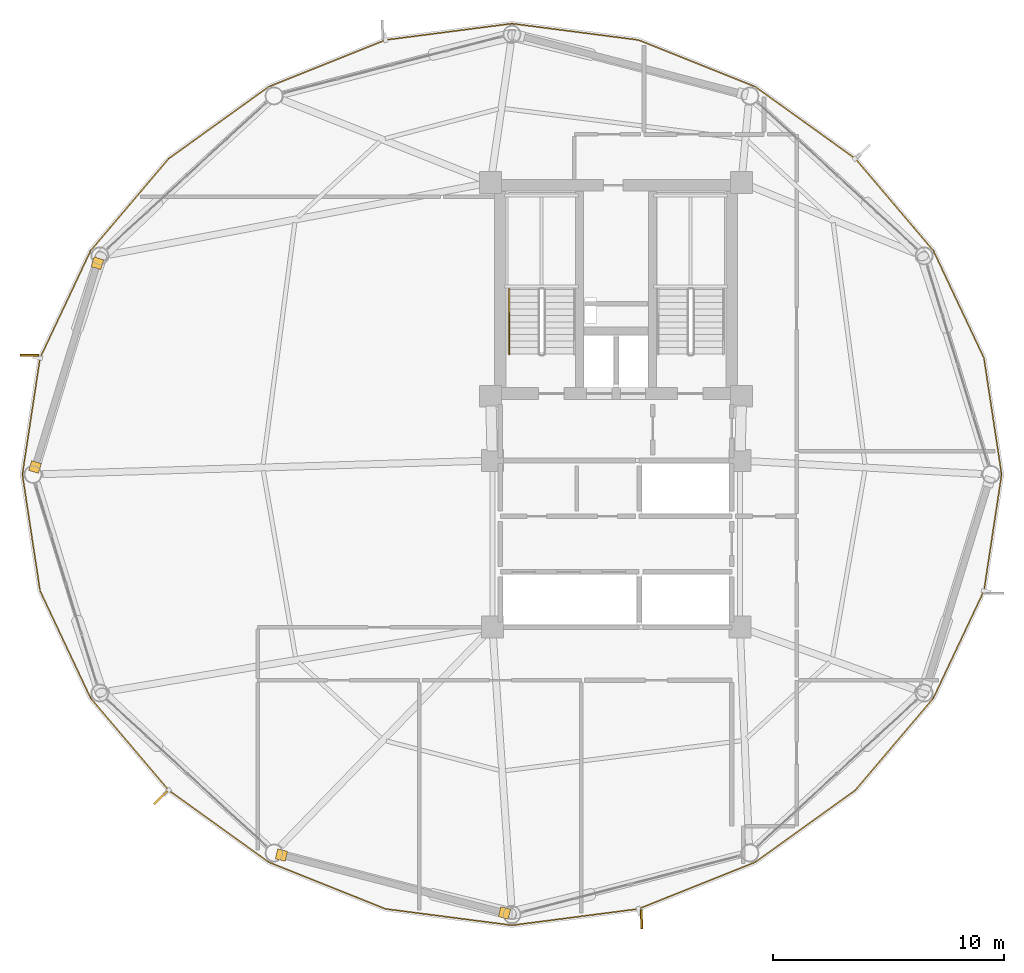
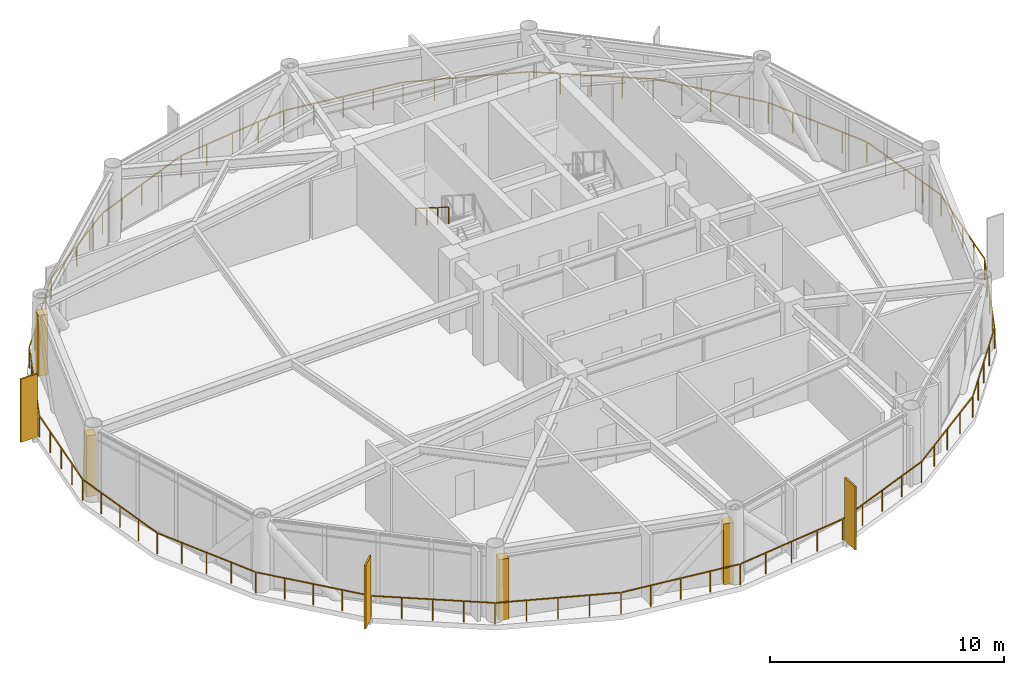
# One storey, part 24 of 26: 4 coverings, 3 shading devices, 2 railings.
"""IFC4 building model written with IfcOpenShell, lengths in metres."""

from ifc_helpers import new_model, si_unit, direction, frame, origin, origin_2d, place, context, subcontext, project, spatial, rectangle, extrude, source, transform, mapped, material, layer, layer_set, type_object, type_shapes, element, save


model = new_model("IFC4")

# Units and contexts
model_context = context("Model", 3, precision=1e-05, world=origin(), true_north=direction((0.0, 1.0)))
body_context = subcontext(model_context, "Body", "Model", "MODEL_VIEW")
ifc_project = project(units=[si_unit("LENGTHUNIT", "METRE"), si_unit("AREAUNIT", "SQUARE_METRE"), si_unit("VOLUMEUNIT", "CUBIC_METRE"), si_unit("PLANEANGLEUNIT", "RADIAN"), si_unit("MASSUNIT", "GRAM", prefix="KILO")], contexts=[model_context])

# Site, building, storey
site_placement = place(None, origin())
site = spatial("IfcSite", under=ifc_project, at=site_placement, CompositionType="ELEMENT")
building_placement = place(site_placement, origin())
building = spatial("IfcBuilding", under=site, at=building_placement, Name="Varnakorn Sky Granary", CompositionType="ELEMENT")
storey_placement = place(building_placement, frame((0.0, 0.0, 153.89990234375)))
storey = spatial("IfcBuildingStorey", under=building, at=storey_placement, Name="L38", CompositionType="ELEMENT", Elevation=153.89990234375)

# Railings
ifc_material_1 = material(Name="Anodised Bronze Aluminium Alloy 6063-T6", Category="aluminium")
railing_type_1 = type_object("IfcRailingType", Name="RL-BAL-1120", PredefinedType="BALUSTRADE", material=ifc_material_1)
railing_1_placement = place(storey_placement, frame((19.666015625, 0.0, 0.0)))
element("IfcRailing", 1, at=railing_1_placement, inside=storey, type_object=railing_type_1, Name="Perimeter Slab-Edge Safety Guard L38", PredefinedType="BALUSTRADE", context=body_context, shape_type="SweptSolid", body=[
    extrude(rectangle(XDim=0.048095703125, YDim=0.048095703125, at=origin_2d()), frame((-0.004150390625, -0.027587890625, 1.09619140625), z_axis=(-0.150170746572, -0.988660076505, 0.0), x_axis=(0.988660076505, -0.150170746572, 0.0)), (0.0, 0.0, 1.0), 5.031005859375),
    extrude(rectangle(XDim=0.048095703125, YDim=0.048095703125, at=origin_2d()), frame((-0.77587890625, -5.0546875, 1.09619140625), z_axis=(-0.425929900611, -0.904756165917, 0.0), x_axis=(0.904756165917, -0.425929900611, 0.0)), (0.0, 0.0, 1.0), 5.076416015625),
    extrude(rectangle(XDim=0.048095703125, YDim=0.048095703125, at=origin_2d()), frame((-2.968017578125, -9.694091796875, 1.09619140625), z_axis=(-0.646781151625, -0.76267564659, 0.0), x_axis=(0.76267564659, -0.646781151625, 0.0)), (0.0, 0.0, 1.0), 5.159912109375),
    extrude(rectangle(XDim=0.048095703125, YDim=0.048095703125, at=origin_2d()), frame((-6.34619140625, -13.667236328125, 1.09619140625), z_axis=(-0.811942733657, -0.583737096012, 0.0), x_axis=(0.583737096012, -0.811942733657, 0.0)), (0.0, 0.0, 1.0), 5.270751953125),
    extrude(rectangle(XDim=0.048095703125, YDim=0.048095703125, at=origin_2d()), frame((-10.67431640625, -16.770751953125, 1.09619140625), z_axis=(-0.928405483497, -0.371568645358, 0.0), x_axis=(0.371568645358, -0.928405483497, 0.0)), (0.0, 0.0, 1.0), 5.3837890625),
    extrude(rectangle(XDim=0.048095703125, YDim=0.048095703125, at=origin_2d()), frame((-15.7265625, -18.78515625, 1.09619140625), z_axis=(-0.991724656968, -0.128383039231, 0.0), x_axis=(0.128383039231, -0.991724656968, 0.0)), (0.0, 0.0, 1.0), 5.456787109375),
    extrude(rectangle(XDim=0.048095703125, YDim=0.048095703125, at=origin_2d()), frame((-21.19384765625, -19.485595703125, 1.09619140625), z_axis=(-0.991724656968, 0.128383039231, 0.0), x_axis=(-0.128383039231, -0.991724656968, 0.0)), (0.0, 0.0, 1.0), 5.456787109375),
    extrude(rectangle(XDim=0.048095703125, YDim=0.048095703125, at=origin_2d()), frame((-26.6591796875, -18.77099609375, 1.09619140625), z_axis=(-0.928405483497, 0.371568645358, 0.0), x_axis=(-0.371568645358, -0.928405483497, 0.0)), (0.0, 0.0, 1.0), 5.3837890625),
    extrude(rectangle(XDim=0.048095703125, YDim=0.048095703125, at=origin_2d()), frame((-31.706298828125, -16.743896484375, 1.09619140625), z_axis=(-0.811942733657, 0.583737096012, 0.0), x_axis=(-0.583737096012, -0.811942733657, 0.0)), (0.0, 0.0, 1.0), 5.270751953125),
    extrude(rectangle(XDim=0.048095703125, YDim=0.048095703125, at=origin_2d()), frame((-36.026611328125, -13.629638671875, 1.09619140625), z_axis=(-0.646781151625, 0.76267564659, 0.0), x_axis=(-0.76267564659, -0.646781151625, 0.0)), (0.0, 0.0, 1.0), 5.159912109375),
    extrude(rectangle(XDim=0.048095703125, YDim=0.048095703125, at=origin_2d()), frame((-39.39404296875, -9.6474609375, 1.09619140625), z_axis=(-0.425929900611, 0.904756165917, 0.0), x_axis=(-0.904756165917, -0.425929900611, 0.0)), (0.0, 0.0, 1.0), 5.076416015625),
    extrude(rectangle(XDim=0.048095703125, YDim=0.048095703125, at=origin_2d()), frame((-41.572265625, -5.001708984375, 1.09619140625), z_axis=(-0.150170746572, 0.988660076505, 0.0), x_axis=(-0.988660076505, -0.150170746572, 0.0)), (0.0, 0.0, 1.0), 5.031005859375),
    extrude(rectangle(XDim=0.048095703125, YDim=0.048095703125, at=origin_2d()), frame((-42.327880859375, 0.027587890625, 1.09619140625), z_axis=(0.150170746572, 0.988660076505, 0.0), x_axis=(-0.988660076505, 0.150170746572, 0.0)), (0.0, 0.0, 1.0), 5.031005859375),
    extrude(rectangle(XDim=0.048095703125, YDim=0.048095703125, at=origin_2d()), frame((-41.55615234375, 5.0546875, 1.09619140625), z_axis=(0.425929900611, 0.904756165917, 0.0), x_axis=(-0.904756165917, 0.425929900611, 0.0)), (0.0, 0.0, 1.0), 5.076416015625),
    extrude(rectangle(XDim=0.048095703125, YDim=0.048095703125, at=origin_2d()), frame((-39.364013671875, 9.694091796875, 1.09619140625), z_axis=(0.646781151625, 0.76267564659, 0.0), x_axis=(-0.76267564659, 0.646781151625, 0.0)), (0.0, 0.0, 1.0), 5.159912109375),
    extrude(rectangle(XDim=0.048095703125, YDim=0.048095703125, at=origin_2d()), frame((-35.98583984375, 13.667236328125, 1.09619140625), z_axis=(0.811942733657, 0.583737096012, 0.0), x_axis=(-0.583737096012, 0.811942733657, 0.0)), (0.0, 0.0, 1.0), 5.270751953125),
    extrude(rectangle(XDim=0.048095703125, YDim=0.048095703125, at=origin_2d()), frame((-31.65771484375, 16.770751953125, 1.09619140625), z_axis=(0.928405483497, 0.371568645358, 0.0), x_axis=(-0.371568645358, 0.928405483497, 0.0)), (0.0, 0.0, 1.0), 5.3837890625),
    extrude(rectangle(XDim=0.048095703125, YDim=0.048095703125, at=origin_2d()), frame((-26.60546875, 18.78515625, 1.09619140625), z_axis=(0.991724656968, 0.128383039231, 0.0), x_axis=(-0.128383039231, 0.991724656968, 0.0)), (0.0, 0.0, 1.0), 5.456787109375),
    extrude(rectangle(XDim=0.048095703125, YDim=0.048095703125, at=origin_2d()), frame((-21.13818359375, 19.485595703125, 1.09619140625), z_axis=(0.991724656968, -0.128383039231, 0.0), x_axis=(0.128383039231, 0.991724656968, 0.0)), (0.0, 0.0, 1.0), 5.456787109375),
    extrude(rectangle(XDim=0.048095703125, YDim=0.048095703125, at=origin_2d()), frame((-15.6728515625, 18.77099609375, 1.09619140625), z_axis=(0.928405483497, -0.371568645358, 0.0), x_axis=(0.371568645358, 0.928405483497, 0.0)), (0.0, 0.0, 1.0), 5.3837890625),
    extrude(rectangle(XDim=0.048095703125, YDim=0.048095703125, at=origin_2d()), frame((-10.625732421875, 16.743896484375, 1.09619140625), z_axis=(0.811942733657, -0.583737096012, 0.0), x_axis=(0.583737096012, 0.811942733657, 0.0)), (0.0, 0.0, 1.0), 5.270751953125),
    extrude(rectangle(XDim=0.048095703125, YDim=0.048095703125, at=origin_2d()), frame((-6.305419921875, 13.629638671875, 1.09619140625), z_axis=(0.646781151625, -0.76267564659, 0.0), x_axis=(0.76267564659, 0.646781151625, 0.0)), (0.0, 0.0, 1.0), 5.159912109375),
    extrude(rectangle(XDim=0.048095703125, YDim=0.048095703125, at=origin_2d()), frame((-2.93798828125, 9.6474609375, 1.09619140625), z_axis=(0.425929900611, -0.904756165917, 0.0), x_axis=(0.904756165917, 0.425929900611, 0.0)), (0.0, 0.0, 1.0), 5.076416015625),
    extrude(rectangle(XDim=0.048095703125, YDim=0.048095703125, at=origin_2d()), frame((-0.759765625, 5.001708984375, 1.09619140625), z_axis=(0.150170746572, -0.988660076505, 0.0), x_axis=(0.988660076505, 0.150170746572, 0.0)), (0.0, 0.0, 1.0), 5.031005859375),
    extrude(rectangle(XDim=0.0419921875, YDim=0.0419921875, at=origin_2d()), origin(), (0.0, 0.0, 1.0), 1.068115234375),
    extrude(rectangle(XDim=0.0419921875, YDim=0.0419921875, at=origin_2d()), frame((-0.19091796875, -1.25732421875, 0.0)), (0.0, 0.0, 1.0), 1.068115234375),
    extrude(rectangle(XDim=0.0419921875, YDim=0.0419921875, at=origin_2d()), frame((-0.3818359375, -2.5146484375, 0.0)), (0.0, 0.0, 1.0), 1.068115234375),
    extrude(rectangle(XDim=0.0419921875, YDim=0.0419921875, at=origin_2d()), frame((-0.572998046875, -3.77197265625, 0.0)), (0.0, 0.0, 1.0), 1.068115234375),
    extrude(rectangle(XDim=0.0419921875, YDim=0.0419921875, at=origin_2d()), frame((-0.763916015625, -5.029296875, 0.0)), (0.0, 0.0, 1.0), 1.068115234375),
    extrude(rectangle(XDim=0.0419921875, YDim=0.0419921875, at=origin_2d()), frame((-1.310546875, -6.190185546875, 0.0)), (0.0, 0.0, 1.0), 1.068115234375),
    extrude(rectangle(XDim=0.0419921875, YDim=0.0419921875, at=origin_2d()), frame((-1.85693359375, -7.35107421875, 0.0)), (0.0, 0.0, 1.0), 1.068115234375),
    extrude(rectangle(XDim=0.0419921875, YDim=0.0419921875, at=origin_2d()), frame((-2.4033203125, -8.511962890625, 0.0)), (0.0, 0.0, 1.0), 1.068115234375),
    extrude(rectangle(XDim=0.0419921875, YDim=0.0419921875, at=origin_2d()), frame((-2.949951171875, -9.6728515625, 0.0)), (0.0, 0.0, 1.0), 1.068115234375),
    extrude(rectangle(XDim=0.0419921875, YDim=0.0419921875, at=origin_2d()), frame((-3.79345703125, -10.66748046875, 0.0)), (0.0, 0.0, 1.0), 1.068115234375),
    extrude(rectangle(XDim=0.0419921875, YDim=0.0419921875, at=origin_2d()), frame((-4.63671875, -11.661865234375, 0.0)), (0.0, 0.0, 1.0), 1.068115234375),
    extrude(rectangle(XDim=0.0419921875, YDim=0.0419921875, at=origin_2d()), frame((-5.47998046875, -12.65625, 0.0)), (0.0, 0.0, 1.0), 1.068115234375),
    extrude(rectangle(XDim=0.0419921875, YDim=0.0419921875, at=origin_2d()), frame((-6.323486328125, -13.65087890625, 0.0)), (0.0, 0.0, 1.0), 1.068115234375),
    extrude(rectangle(XDim=0.0419921875, YDim=0.0419921875, at=origin_2d()), frame((-7.40478515625, -14.42822265625, 0.0)), (0.0, 0.0, 1.0), 1.068115234375),
    extrude(rectangle(XDim=0.0419921875, YDim=0.0419921875, at=origin_2d()), frame((-8.48583984375, -15.20556640625, 0.0)), (0.0, 0.0, 1.0), 1.068115234375),
    extrude(rectangle(XDim=0.0419921875, YDim=0.0419921875, at=origin_2d()), frame((-9.567138671875, -15.98291015625, 0.0)), (0.0, 0.0, 1.0), 1.068115234375),
    extrude(rectangle(XDim=0.0419921875, YDim=0.0419921875, at=origin_2d()), frame((-10.6484375, -16.76025390625, 0.0)), (0.0, 0.0, 1.0), 1.068115234375),
    extrude(rectangle(XDim=0.0419921875, YDim=0.0419921875, at=origin_2d()), frame((-11.9111328125, -17.265625, 0.0)), (0.0, 0.0, 1.0), 1.068115234375),
    extrude(rectangle(XDim=0.0419921875, YDim=0.0419921875, at=origin_2d()), frame((-13.173583984375, -17.77099609375, 0.0)), (0.0, 0.0, 1.0), 1.068115234375),
    extrude(rectangle(XDim=0.0419921875, YDim=0.0419921875, at=origin_2d()), frame((-14.43603515625, -18.276123046875, 0.0)), (0.0, 0.0, 1.0), 1.068115234375),
    extrude(rectangle(XDim=0.0419921875, YDim=0.0419921875, at=origin_2d()), frame((-15.69873046875, -18.781494140625, 0.0)), (0.0, 0.0, 1.0), 1.068115234375),
    extrude(rectangle(XDim=0.0419921875, YDim=0.0419921875, at=origin_2d()), frame((-17.0654296875, -18.95849609375, 0.0)), (0.0, 0.0, 1.0), 1.068115234375),
    extrude(rectangle(XDim=0.0419921875, YDim=0.0419921875, at=origin_2d()), frame((-18.432373046875, -19.13525390625, 0.0)), (0.0, 0.0, 1.0), 1.068115234375),
    extrude(rectangle(XDim=0.0419921875, YDim=0.0419921875, at=origin_2d()), frame((-19.79931640625, -19.312255859375, 0.0)), (0.0, 0.0, 1.0), 1.068115234375),
    extrude(rectangle(XDim=0.0419921875, YDim=0.0419921875, at=origin_2d()), frame((-21.166015625, -19.4892578125, 0.0)), (0.0, 0.0, 1.0), 1.068115234375),
    extrude(rectangle(XDim=0.0419921875, YDim=0.0419921875, at=origin_2d()), frame((-22.53271484375, -19.312255859375, 0.0)), (0.0, 0.0, 1.0), 1.068115234375),
    extrude(rectangle(XDim=0.0419921875, YDim=0.0419921875, at=origin_2d()), frame((-23.899658203125, -19.13525390625, 0.0)), (0.0, 0.0, 1.0), 1.068115234375),
    extrude(rectangle(XDim=0.0419921875, YDim=0.0419921875, at=origin_2d()), frame((-25.2666015625, -18.95849609375, 0.0)), (0.0, 0.0, 1.0), 1.068115234375),
    extrude(rectangle(XDim=0.0419921875, YDim=0.0419921875, at=origin_2d()), frame((-26.63330078125, -18.781494140625, 0.0)), (0.0, 0.0, 1.0), 1.068115234375),
    extrude(rectangle(XDim=0.0419921875, YDim=0.0419921875, at=origin_2d()), frame((-27.89599609375, -18.276123046875, 0.0)), (0.0, 0.0, 1.0), 1.068115234375),
    extrude(rectangle(XDim=0.0419921875, YDim=0.0419921875, at=origin_2d()), frame((-29.158447265625, -17.77099609375, 0.0)), (0.0, 0.0, 1.0), 1.068115234375),
    extrude(rectangle(XDim=0.0419921875, YDim=0.0419921875, at=origin_2d()), frame((-30.4208984375, -17.265625, 0.0)), (0.0, 0.0, 1.0), 1.068115234375),
    extrude(rectangle(XDim=0.0419921875, YDim=0.0419921875, at=origin_2d()), frame((-31.68359375, -16.76025390625, 0.0)), (0.0, 0.0, 1.0), 1.068115234375),
    extrude(rectangle(XDim=0.0419921875, YDim=0.0419921875, at=origin_2d()), frame((-32.764892578125, -15.98291015625, 0.0)), (0.0, 0.0, 1.0), 1.068115234375),
    extrude(rectangle(XDim=0.0419921875, YDim=0.0419921875, at=origin_2d()), frame((-33.84619140625, -15.20556640625, 0.0)), (0.0, 0.0, 1.0), 1.068115234375),
    extrude(rectangle(XDim=0.0419921875, YDim=0.0419921875, at=origin_2d()), frame((-34.92724609375, -14.42822265625, 0.0)), (0.0, 0.0, 1.0), 1.068115234375),
    extrude(rectangle(XDim=0.0419921875, YDim=0.0419921875, at=origin_2d()), frame((-36.008544921875, -13.65087890625, 0.0)), (0.0, 0.0, 1.0), 1.068115234375),
    extrude(rectangle(XDim=0.0419921875, YDim=0.0419921875, at=origin_2d()), frame((-36.85205078125, -12.65625, 0.0)), (0.0, 0.0, 1.0), 1.068115234375),
    extrude(rectangle(XDim=0.0419921875, YDim=0.0419921875, at=origin_2d()), frame((-37.6953125, -11.661865234375, 0.0)), (0.0, 0.0, 1.0), 1.068115234375),
    extrude(rectangle(XDim=0.0419921875, YDim=0.0419921875, at=origin_2d()), frame((-38.53857421875, -10.66748046875, 0.0)), (0.0, 0.0, 1.0), 1.068115234375),
    extrude(rectangle(XDim=0.0419921875, YDim=0.0419921875, at=origin_2d()), frame((-39.382080078125, -9.6728515625, 0.0)), (0.0, 0.0, 1.0), 1.068115234375),
    extrude(rectangle(XDim=0.0419921875, YDim=0.0419921875, at=origin_2d()), frame((-39.9287109375, -8.511962890625, 0.0)), (0.0, 0.0, 1.0), 1.068115234375),
    extrude(rectangle(XDim=0.0419921875, YDim=0.0419921875, at=origin_2d()), frame((-40.47509765625, -7.35107421875, 0.0)), (0.0, 0.0, 1.0), 1.068115234375),
    extrude(rectangle(XDim=0.0419921875, YDim=0.0419921875, at=origin_2d()), frame((-41.021484375, -6.190185546875, 0.0)), (0.0, 0.0, 1.0), 1.068115234375),
    extrude(rectangle(XDim=0.0419921875, YDim=0.0419921875, at=origin_2d()), frame((-41.568115234375, -5.029296875, 0.0)), (0.0, 0.0, 1.0), 1.068115234375),
    extrude(rectangle(XDim=0.0419921875, YDim=0.0419921875, at=origin_2d()), frame((-41.759033203125, -3.77197265625, 0.0)), (0.0, 0.0, 1.0), 1.068115234375),
    extrude(rectangle(XDim=0.0419921875, YDim=0.0419921875, at=origin_2d()), frame((-41.9501953125, -2.5146484375, 0.0)), (0.0, 0.0, 1.0), 1.068115234375),
    extrude(rectangle(XDim=0.0419921875, YDim=0.0419921875, at=origin_2d()), frame((-42.14111328125, -1.25732421875, 0.0)), (0.0, 0.0, 1.0), 1.068115234375),
    extrude(rectangle(XDim=0.0419921875, YDim=0.0419921875, at=origin_2d()), frame((-42.33203125, 0.0, 0.0)), (0.0, 0.0, 1.0), 1.068115234375),
    extrude(rectangle(XDim=0.0419921875, YDim=0.0419921875, at=origin_2d()), frame((-42.14111328125, 1.25732421875, 0.0)), (0.0, 0.0, 1.0), 1.068115234375),
    extrude(rectangle(XDim=0.0419921875, YDim=0.0419921875, at=origin_2d()), frame((-41.9501953125, 2.5146484375, 0.0)), (0.0, 0.0, 1.0), 1.068115234375),
    extrude(rectangle(XDim=0.0419921875, YDim=0.0419921875, at=origin_2d()), frame((-41.759033203125, 3.77197265625, 0.0)), (0.0, 0.0, 1.0), 1.068115234375),
    extrude(rectangle(XDim=0.0419921875, YDim=0.0419921875, at=origin_2d()), frame((-41.568115234375, 5.029296875, 0.0)), (0.0, 0.0, 1.0), 1.068115234375),
    extrude(rectangle(XDim=0.0419921875, YDim=0.0419921875, at=origin_2d()), frame((-41.021484375, 6.190185546875, 0.0)), (0.0, 0.0, 1.0), 1.068115234375),
    extrude(rectangle(XDim=0.0419921875, YDim=0.0419921875, at=origin_2d()), frame((-40.47509765625, 7.35107421875, 0.0)), (0.0, 0.0, 1.0), 1.068115234375),
    extrude(rectangle(XDim=0.0419921875, YDim=0.0419921875, at=origin_2d()), frame((-39.9287109375, 8.511962890625, 0.0)), (0.0, 0.0, 1.0), 1.068115234375),
    extrude(rectangle(XDim=0.0419921875, YDim=0.0419921875, at=origin_2d()), frame((-39.382080078125, 9.6728515625, 0.0)), (0.0, 0.0, 1.0), 1.068115234375),
    extrude(rectangle(XDim=0.0419921875, YDim=0.0419921875, at=origin_2d()), frame((-38.53857421875, 10.66748046875, 0.0)), (0.0, 0.0, 1.0), 1.068115234375),
    extrude(rectangle(XDim=0.0419921875, YDim=0.0419921875, at=origin_2d()), frame((-37.6953125, 11.661865234375, 0.0)), (0.0, 0.0, 1.0), 1.068115234375),
    extrude(rectangle(XDim=0.0419921875, YDim=0.0419921875, at=origin_2d()), frame((-36.85205078125, 12.65625, 0.0)), (0.0, 0.0, 1.0), 1.068115234375),
    extrude(rectangle(XDim=0.0419921875, YDim=0.0419921875, at=origin_2d()), frame((-36.008544921875, 13.65087890625, 0.0)), (0.0, 0.0, 1.0), 1.068115234375),
    extrude(rectangle(XDim=0.0419921875, YDim=0.0419921875, at=origin_2d()), frame((-34.92724609375, 14.42822265625, 0.0)), (0.0, 0.0, 1.0), 1.068115234375),
    extrude(rectangle(XDim=0.0419921875, YDim=0.0419921875, at=origin_2d()), frame((-33.84619140625, 15.20556640625, 0.0)), (0.0, 0.0, 1.0), 1.068115234375),
    extrude(rectangle(XDim=0.0419921875, YDim=0.0419921875, at=origin_2d()), frame((-32.764892578125, 15.98291015625, 0.0)), (0.0, 0.0, 1.0), 1.068115234375),
    extrude(rectangle(XDim=0.0419921875, YDim=0.0419921875, at=origin_2d()), frame((-31.68359375, 16.76025390625, 0.0)), (0.0, 0.0, 1.0), 1.068115234375),
    extrude(rectangle(XDim=0.0419921875, YDim=0.0419921875, at=origin_2d()), frame((-30.4208984375, 17.265625, 0.0)), (0.0, 0.0, 1.0), 1.068115234375),
    extrude(rectangle(XDim=0.0419921875, YDim=0.0419921875, at=origin_2d()), frame((-29.158447265625, 17.77099609375, 0.0)), (0.0, 0.0, 1.0), 1.068115234375),
    extrude(rectangle(XDim=0.0419921875, YDim=0.0419921875, at=origin_2d()), frame((-27.89599609375, 18.276123046875, 0.0)), (0.0, 0.0, 1.0), 1.068115234375),
    extrude(rectangle(XDim=0.0419921875, YDim=0.0419921875, at=origin_2d()), frame((-26.63330078125, 18.781494140625, 0.0)), (0.0, 0.0, 1.0), 1.068115234375),
    extrude(rectangle(XDim=0.0419921875, YDim=0.0419921875, at=origin_2d()), frame((-25.2666015625, 18.95849609375, 0.0)), (0.0, 0.0, 1.0), 1.068115234375),
    extrude(rectangle(XDim=0.0419921875, YDim=0.0419921875, at=origin_2d()), frame((-23.899658203125, 19.13525390625, 0.0)), (0.0, 0.0, 1.0), 1.068115234375),
    extrude(rectangle(XDim=0.0419921875, YDim=0.0419921875, at=origin_2d()), frame((-22.53271484375, 19.312255859375, 0.0)), (0.0, 0.0, 1.0), 1.068115234375),
    extrude(rectangle(XDim=0.0419921875, YDim=0.0419921875, at=origin_2d()), frame((-21.166015625, 19.4892578125, 0.0)), (0.0, 0.0, 1.0), 1.068115234375),
    extrude(rectangle(XDim=0.0419921875, YDim=0.0419921875, at=origin_2d()), frame((-19.79931640625, 19.312255859375, 0.0)), (0.0, 0.0, 1.0), 1.068115234375),
    extrude(rectangle(XDim=0.0419921875, YDim=0.0419921875, at=origin_2d()), frame((-18.432373046875, 19.13525390625, 0.0)), (0.0, 0.0, 1.0), 1.068115234375),
    extrude(rectangle(XDim=0.0419921875, YDim=0.0419921875, at=origin_2d()), frame((-17.0654296875, 18.95849609375, 0.0)), (0.0, 0.0, 1.0), 1.068115234375),
    extrude(rectangle(XDim=0.0419921875, YDim=0.0419921875, at=origin_2d()), frame((-15.69873046875, 18.781494140625, 0.0)), (0.0, 0.0, 1.0), 1.068115234375),
    extrude(rectangle(XDim=0.0419921875, YDim=0.0419921875, at=origin_2d()), frame((-14.43603515625, 18.276123046875, 0.0)), (0.0, 0.0, 1.0), 1.068115234375),
    extrude(rectangle(XDim=0.0419921875, YDim=0.0419921875, at=origin_2d()), frame((-13.173583984375, 17.77099609375, 0.0)), (0.0, 0.0, 1.0), 1.068115234375),
    extrude(rectangle(XDim=0.0419921875, YDim=0.0419921875, at=origin_2d()), frame((-11.9111328125, 17.265625, 0.0)), (0.0, 0.0, 1.0), 1.068115234375),
    extrude(rectangle(XDim=0.0419921875, YDim=0.0419921875, at=origin_2d()), frame((-10.6484375, 16.76025390625, 0.0)), (0.0, 0.0, 1.0), 1.068115234375),
    extrude(rectangle(XDim=0.0419921875, YDim=0.0419921875, at=origin_2d()), frame((-9.567138671875, 15.98291015625, 0.0)), (0.0, 0.0, 1.0), 1.068115234375),
    extrude(rectangle(XDim=0.0419921875, YDim=0.0419921875, at=origin_2d()), frame((-8.48583984375, 15.20556640625, 0.0)), (0.0, 0.0, 1.0), 1.068115234375),
    extrude(rectangle(XDim=0.0419921875, YDim=0.0419921875, at=origin_2d()), frame((-7.40478515625, 14.42822265625, 0.0)), (0.0, 0.0, 1.0), 1.068115234375),
    extrude(rectangle(XDim=0.0419921875, YDim=0.0419921875, at=origin_2d()), frame((-6.323486328125, 13.65087890625, 0.0)), (0.0, 0.0, 1.0), 1.068115234375),
    extrude(rectangle(XDim=0.0419921875, YDim=0.0419921875, at=origin_2d()), frame((-5.47998046875, 12.65625, 0.0)), (0.0, 0.0, 1.0), 1.068115234375),
    extrude(rectangle(XDim=0.0419921875, YDim=0.0419921875, at=origin_2d()), frame((-4.63671875, 11.661865234375, 0.0)), (0.0, 0.0, 1.0), 1.068115234375),
    extrude(rectangle(XDim=0.0419921875, YDim=0.0419921875, at=origin_2d()), frame((-3.79345703125, 10.66748046875, 0.0)), (0.0, 0.0, 1.0), 1.068115234375),
    extrude(rectangle(XDim=0.0419921875, YDim=0.0419921875, at=origin_2d()), frame((-2.949951171875, 9.6728515625, 0.0)), (0.0, 0.0, 1.0), 1.068115234375),
    extrude(rectangle(XDim=0.0419921875, YDim=0.0419921875, at=origin_2d()), frame((-2.4033203125, 8.511962890625, 0.0)), (0.0, 0.0, 1.0), 1.068115234375),
    extrude(rectangle(XDim=0.0419921875, YDim=0.0419921875, at=origin_2d()), frame((-1.85693359375, 7.35107421875, 0.0)), (0.0, 0.0, 1.0), 1.068115234375),
    extrude(rectangle(XDim=0.0419921875, YDim=0.0419921875, at=origin_2d()), frame((-1.310546875, 6.190185546875, 0.0)), (0.0, 0.0, 1.0), 1.068115234375),
    extrude(rectangle(XDim=0.0419921875, YDim=0.0419921875, at=origin_2d()), frame((-0.763916015625, 5.029296875, 0.0)), (0.0, 0.0, 1.0), 1.068115234375),
    extrude(rectangle(XDim=0.0419921875, YDim=0.0419921875, at=origin_2d()), frame((-0.572998046875, 3.77197265625, 0.0)), (0.0, 0.0, 1.0), 1.068115234375),
    extrude(rectangle(XDim=0.0419921875, YDim=0.0419921875, at=origin_2d()), frame((-0.3818359375, 2.5146484375, 0.0)), (0.0, 0.0, 1.0), 1.068115234375),
    extrude(rectangle(XDim=0.0419921875, YDim=0.0419921875, at=origin_2d()), frame((-0.19091796875, 1.25732421875, 0.0)), (0.0, 0.0, 1.0), 1.068115234375),
])
ifc_material_2 = material(Name="Brushed Stainless Steel 316", Category="steel")
railing_type_2 = type_object("IfcRailingType", Name="RL-STAIR-920", PredefinedType="HANDRAIL", material=ifc_material_2)
railing_2_placement = place(storey_placement, frame((-1.6201171875, 8.0, 2.12744140625)))
element("IfcRailing", 2, at=railing_2_placement, inside=storey, type_object=railing_type_2, Name="L38 ST-1 stair handrail 2", PredefinedType="HANDRAIL", context=body_context, shape_type="SweptSolid", body=[
    extrude(rectangle(XDim=0.048095703125, YDim=0.048095703125, at=origin_2d()), frame((0.0, 0.0, 0.8759765625), z_axis=(0.0, -0.844908973607, 0.534910110503), x_axis=(1.0, 0.0, 0.0)), (0.0, 0.0, 1.0), 3.31396484375),
    extrude(rectangle(XDim=0.0419921875, YDim=0.0419921875, at=origin_2d()), origin(), (0.0, 0.0, 1.0), 0.847900390625),
    extrude(rectangle(XDim=0.0419921875, YDim=0.0419921875, at=origin_2d()), frame((0.0, -0.933349609375, 0.5908203125)), (0.0, 0.0, 1.0), 0.847900390625),
    extrude(rectangle(XDim=0.0419921875, YDim=0.0419921875, at=origin_2d()), frame((0.0, -1.86669921875, 1.181884765625)), (0.0, 0.0, 1.0), 0.847900390625),
    extrude(rectangle(XDim=0.0419921875, YDim=0.0419921875, at=origin_2d()), frame((0.0, -2.800048828125, 1.772705078125)), (0.0, 0.0, 1.0), 0.847900390625),
])

# Shading devices
shading_device_type = type_object("IfcShadingDeviceType", Name="SH-FIN-02", PredefinedType="USERDEFINED", material=ifc_material_1)
shared_shape_1 = source(origin(), body_context, "Body", "SweptSolid", [
    extrude(rectangle(XDim=0.0849609375, YDim=0.820068359375, at=origin_2d()), origin(), (0.0, 0.0, 1.0), 3.300048828125),
])
type_shapes(shading_device_type, [shared_shape_1])
for number, where, z_axis, x_axis, name in (
    (3, (-22.358642578125, 5.14501953125, -0.0400390625), (0.0, 0.0, 1.0), (0.005392815176, -0.999985458667, 0.0), "Bronze Solar-Tracking Vertical Blade FIN L38-06"),
    (4, (-16.6865234375, -13.971923828125, -0.0400390625), (0.0, 0.0, 1.0), (0.693971692665, -0.720002284566, 0.0), "Bronze Solar-Tracking Vertical Blade FIN L38-08"),
    (5, (4.098388671875, -19.233642578125, -0.0400390625), (0.0, 0.0, 1.0), (0.99886601932, 0.047609615073, 0.0), "Bronze Solar-Tracking Vertical Blade FIN L38-10"),
):
    element("IfcShadingDevice", number, at=place(storey_placement, frame(where, z_axis=z_axis, x_axis=x_axis)), inside=storey, type_object=shading_device_type, Name=name, ObjectType="FIN", PredefinedType="USERDEFINED", context=body_context, shape_type="MappedRepresentation", body=[
        mapped(shared_shape_1, transform((0.0, 0.0, 0.0), x_axis=(1.0, 0.0, 0.0), y_axis=(0.0, 1.0, 0.0), z_axis=(0.0, 0.0, 1.0), scale=1.0)),
    ])

# Coverings
ifc_layer = layer(ifc_material_1, 0.050048828125, Name="Anodised Bronze Aluminium Alloy 6063-T6")
ifc_layer_set = layer_set([ifc_layer], Name="Anodised Bronze Aluminium Alloy 6063-T6")
covering_type = type_object("IfcCoveringType", Name="CV-CLAD-50", PredefinedType="CLADDING", material=ifc_layer_set)
shared_shape_2 = source(origin(), body_context, "Body", "SweptSolid", [
    extrude(rectangle(XDim=0.43994140625, YDim=0.43994140625, at=origin_2d()), origin(), (0.0, 0.0, 1.0), 3.179931640625),
])
type_shapes(covering_type, [shared_shape_2])
for number, where, z_axis, x_axis, name in (
    (6, (-22.11865234375, 0.3212890625, -0.02001953125), (0.0, 0.0, 1.0), (0.292538606935, 0.956253712909, 0.0), "Bronze Corner Pilaster Closure L38-P06-A"),
    (7, (-19.4228515625, 9.131103515625, -0.02001953125), (0.0, 0.0, 1.0), (0.292538606935, 0.956253712909, 0.0), "Bronze Corner Pilaster Closure L38-P06-B"),
    (8, (-1.8251953125, -18.955810546875, -0.02001953125), (0.0, 0.0, 1.0), (-0.968016409009, 0.250886890629, 0.0), "Bronze Corner Pilaster Closure L38-P09-A"),
    (9, (-11.4658203125, -16.45654296875, -0.02001953125), (0.0, 0.0, 1.0), (-0.968016409009, 0.250886890629, 0.0), "Bronze Corner Pilaster Closure L38-P09-B"),
):
    element("IfcCovering", number, at=place(storey_placement, frame(where, z_axis=z_axis, x_axis=x_axis)), inside=storey, type_object=covering_type, Name=name, PredefinedType="CLADDING", context=body_context, shape_type="MappedRepresentation", body=[
        mapped(shared_shape_2, transform((0.0, 0.0, 0.0), x_axis=(1.0, 0.0, 0.0), y_axis=(0.0, 1.0, 0.0), z_axis=(0.0, 0.0, 1.0), scale=1.0)),
    ])

save(model, "model.ifc")
